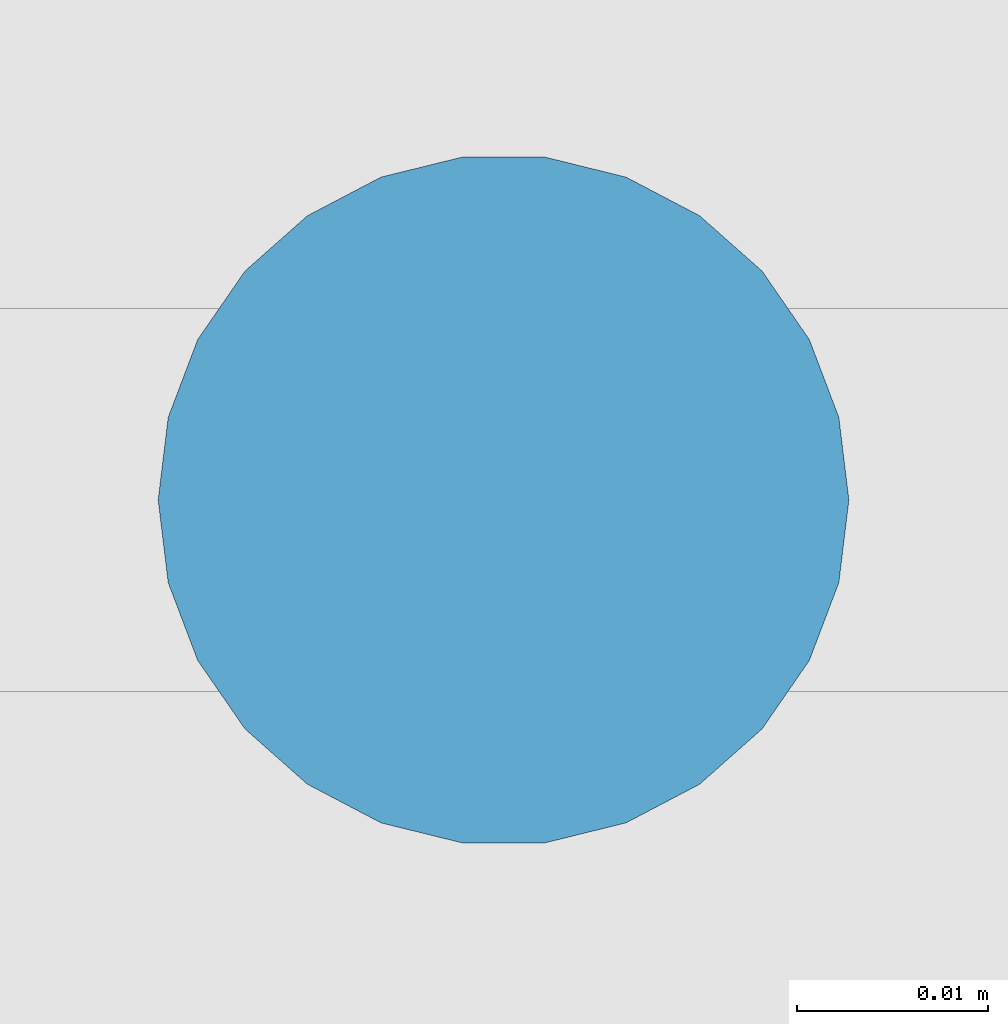
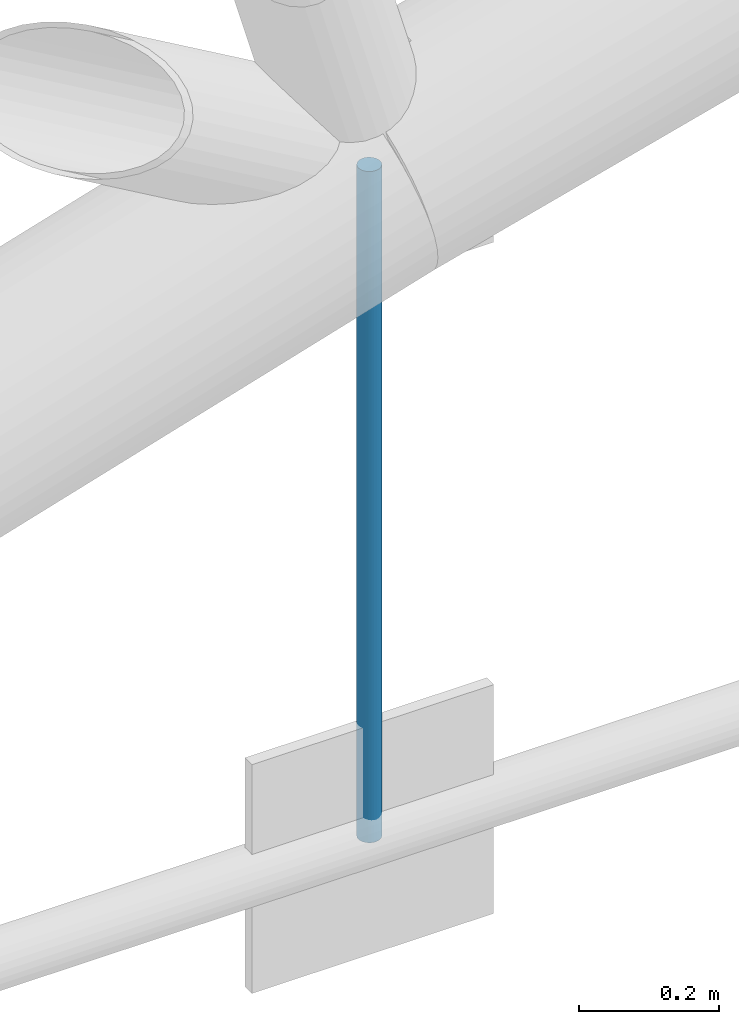
# One storey, part 149 of 321: 1 member.
"""IFC4 building model written with IfcOpenShell, lengths in metres."""

from ifc_helpers import new_model, si_unit, direction, frame, origin, origin_2d, place, context, subcontext, project, spatial, circle, extrude, material, material_profile, profile_set, type_object, element, save


model = new_model("IFC4")

# Units and contexts
model_context = context("Model", 3, precision=1e-05, world=origin(), true_north=direction((0.0, 1.0)))
body_context = subcontext(model_context, "Body", "Model", "MODEL_VIEW")
ifc_project = project(units=[si_unit("LENGTHUNIT", "METRE"), si_unit("AREAUNIT", "SQUARE_METRE"), si_unit("VOLUMEUNIT", "CUBIC_METRE"), si_unit("PLANEANGLEUNIT", "RADIAN"), si_unit("MASSUNIT", "GRAM", prefix="KILO")], contexts=[model_context])

# Site, building, storey
site_placement = place(None, origin())
site = spatial("IfcSite", under=ifc_project, at=site_placement, CompositionType="ELEMENT")
building_placement = place(site_placement, origin())
building = spatial("IfcBuilding", under=site, at=building_placement, Name="Ravi Spectrum Wholesale Market", CompositionType="ELEMENT")
storey_placement = place(building_placement, frame((0.0, 0.0, 10.800048828125)))
storey = spatial("IfcBuildingStorey", under=building, at=storey_placement, Name="L02", CompositionType="ELEMENT", Elevation=10.800048828125)

# Member
ifc_material = material(Name="Steel S355", Category="steel")
ifc_material_profile = material_profile(ifc_material, circle(Radius=0.01806640625, at=origin_2d()))
ifc_profile_set = profile_set([ifc_material_profile], Name="Steel S355")
member_type = type_object("IfcMemberType", Name="ROD 36 hanger", PredefinedType="STRUT", material=ifc_profile_set)
member_placement = place(storey_placement, frame((43.88427734375, 150.0, 0.0), z_axis=(0.0, 0.0, 1.0), x_axis=(1.0, 0.0, 0.0)))
element("IfcMember", 1, at=member_placement, inside=storey, type_object=member_type, Name="H1-MB-L02-905", PredefinedType="STRUT", context=body_context, shape_type="SweptSolid", body=[
    extrude(circle(Radius=0.01806640625, at=origin_2d()), origin(), (0.0, 0.0, 1.0), 1.173095703125),
])

save(model, "model.ifc")
